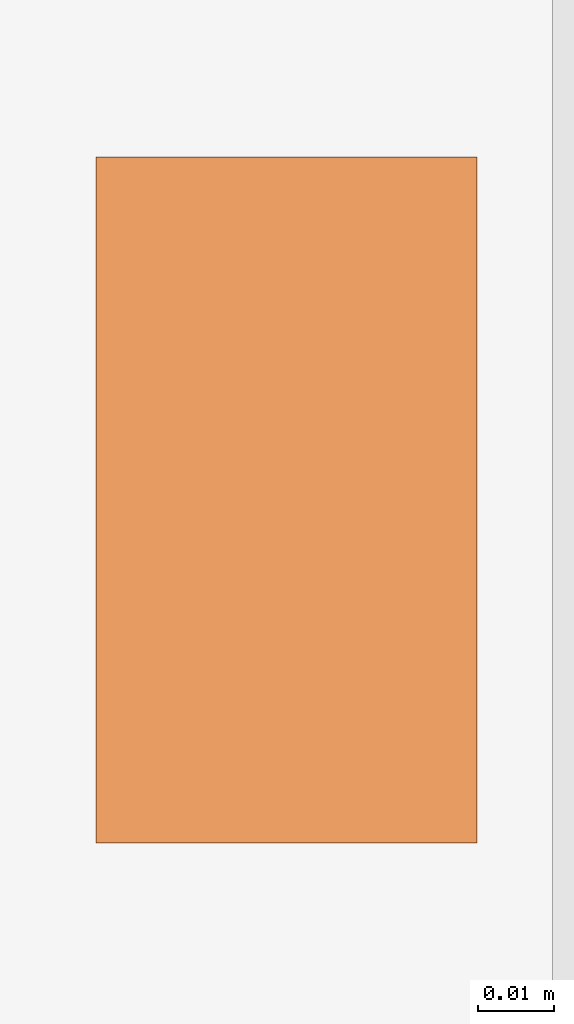
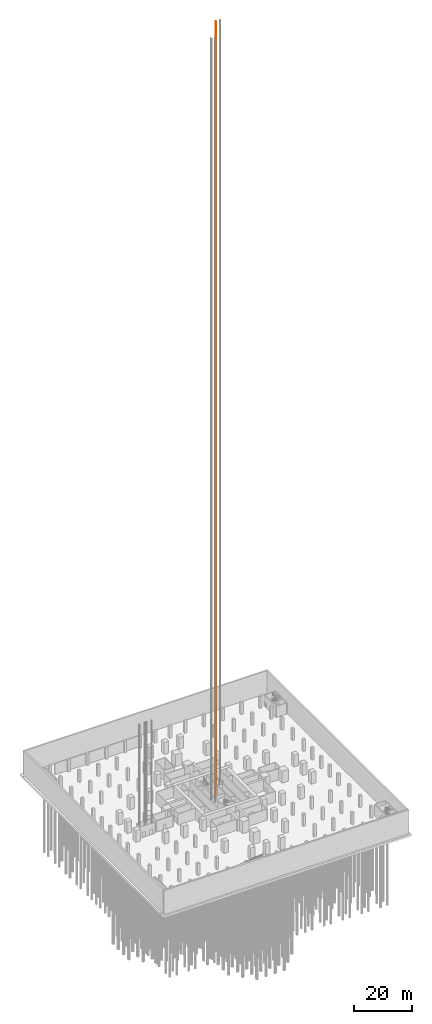
# One storey, part 30 of 31: 1 proxy.
"""IFC4 building model written with IfcOpenShell, lengths in metres."""

import ifcopenshell
import ifcopenshell.guid

model = None  # the IFC model being written
_history = None  # IfcOwnerHistory: only IFC2X3 demands one
_inside = {}  # id of a spatial element -> (the spatial element, [elements in it])
_under = {}  # id of a project, library or spatial element -> (it, [spatial elements below it])
_declared = {}  # id of a project -> (the project, [libraries it declares])
_typed = {}  # id of a type object -> (the type object, [elements of that type])
_made_of = {}  # id of a material, layer set ... -> (it, [elements and type objects made of it])


def new_model(schema):
    """Start an empty IFC model of exactly this schema.

    Asked for "IFC4X3", IfcOpenShell would pick the latest addendum, in which some entities
    have other attributes; the version numbers below select the first issue.
    IFC2X3 requires an IfcOwnerHistory on every rooted entity: one is made here for all.
    """
    global model, _history
    if schema == "IFC4X3":
        model = ifcopenshell.file(schema_version=(4, 3, 0, 0))
    else:
        model = ifcopenshell.file(schema=schema)
    _inside.clear()
    _under.clear()
    _declared.clear()
    _typed.clear()
    _made_of.clear()
    _history = None
    if model.schema == "IFC2X3":
        org = make("IfcOrganization", Name="unknown")
        user = make(
            "IfcPersonAndOrganization",
            ThePerson=make("IfcPerson", FamilyName="unknown"),
            TheOrganization=org,
        )
        app = make(
            "IfcApplication",
            ApplicationDeveloper=org,
            Version="unknown",
            ApplicationFullName="unknown",
            ApplicationIdentifier="unknown",
        )
        _history = make(
            "IfcOwnerHistory",
            OwningUser=user,
            OwningApplication=app,
            ChangeAction="ADDED",
            CreationDate=0,
        )
    return model


def make(cls, **values):
    """One entity of the class cls with the attributes given. An attribute that is None is left unset."""
    return model.create_entity(
        cls, **{name: value for name, value in values.items() if value is not None}
    )


def rooted(cls, **values):
    """An entity with a GlobalId (a new one), such as an element, a storey or a relation."""
    return make(cls, GlobalId=ifcopenshell.guid.new(), OwnerHistory=_history, **values)


def si_unit(unit_type, name, prefix=None):
    """IfcSIUnit, for example si_unit("LENGTHUNIT", "METRE", prefix="MILLI")."""
    return make("IfcSIUnit", UnitType=unit_type, Prefix=prefix, Name=name)


def assignment(units):
    """IfcUnitAssignment: the units of a project."""
    return None if units is None else make("IfcUnitAssignment", Units=units)


def point(xyz):
    """IfcCartesianPoint."""
    return None if xyz is None else make("IfcCartesianPoint", Coordinates=xyz)


def direction(xyz):
    """IfcDirection."""
    return None if xyz is None else make("IfcDirection", DirectionRatios=xyz)


def frame(location, z_axis=None, x_axis=None):
    """IfcAxis2Placement3D, a coordinate frame: its origin and axes. An axis left out is left unset."""
    return make(
        "IfcAxis2Placement3D",
        Location=point(location),
        Axis=direction(z_axis),
        RefDirection=direction(x_axis),
    )


def frame_2d(location, x_axis=None):
    """IfcAxis2Placement2D, a coordinate frame in the plane: its origin and x axis."""
    return make(
        "IfcAxis2Placement2D", Location=point(location), RefDirection=direction(x_axis)
    )


def origin():
    """The frame at (0, 0, 0) with its axes left unset."""
    return frame((0.0, 0.0, 0.0))


def origin_2d():
    """The frame at (0, 0) in the plane with its x axis left unset."""
    return frame_2d((0.0, 0.0))


def place(relative_to, where):
    """IfcLocalPlacement: puts the frame where relative to a parent placement (None: the world)."""
    return make(
        "IfcLocalPlacement", PlacementRelTo=relative_to, RelativePlacement=where
    )


def context(
    kind, dimensions, precision=None, world=None, true_north=None, identifier=None
):
    """IfcGeometricRepresentationContext, for example the 3D "Model" context."""
    return make(
        "IfcGeometricRepresentationContext",
        ContextIdentifier=identifier,
        ContextType=kind,
        CoordinateSpaceDimension=dimensions,
        Precision=precision,
        WorldCoordinateSystem=world,
        TrueNorth=true_north,
    )


def subcontext(parent, identifier, kind, view, scale=None):
    """IfcGeometricRepresentationSubContext, for example "Body" below "Model"."""
    return make(
        "IfcGeometricRepresentationSubContext",
        ContextIdentifier=identifier,
        ContextType=kind,
        ParentContext=parent,
        TargetScale=scale,
        TargetView=view,
    )


def project(units=None, contexts=None):
    """IfcProject with its units and contexts."""
    return rooted(
        "IfcProject",
        Name="project",
        RepresentationContexts=contexts,
        UnitsInContext=assignment(units),
    )


def spatial(cls, under=None, at=None, **own):
    """A site, building, storey or space (cls), placed at a placement, below another one or the project."""
    s = rooted(cls, ObjectPlacement=at, **own)
    if under is not None:
        _under.setdefault(under.id(), (under, []))[1].append(s)
    return s


def profile(cls, at=None, kind="AREA", **sizes):
    """A parametric profile (cls). Its sizes go by their IFC names, for example OverallWidth=200.0."""
    return make(cls, ProfileType=kind, Position=at, **sizes)


def rectangle(**sizes):
    """IfcRectangleProfileDef."""
    return profile("IfcRectangleProfileDef", **sizes)


def extrude(swept, where, along, depth):
    """IfcExtrudedAreaSolid: the profile swept, set in the frame where, extruded along a direction by depth."""
    return make(
        "IfcExtrudedAreaSolid",
        SweptArea=swept,
        Position=where,
        ExtrudedDirection=direction(along),
        Depth=depth,
    )


def shape(context_of_items, identifier, shape_type, items):
    """IfcShapeRepresentation: the items that make up one representation, for example the "Body"."""
    return make(
        "IfcShapeRepresentation",
        ContextOfItems=context_of_items,
        RepresentationIdentifier=identifier,
        RepresentationType=shape_type,
        Items=items,
    )


def material(Name=None, Category=None):
    """IfcMaterial."""
    return make("IfcMaterial", Name=Name, Category=Category)


def made_of(thing, what):
    """Note that an element or type object is made of a material, layer set ...; save() writes the relation."""
    if what is not None:
        _made_of.setdefault(what.id(), (what, []))[1].append(thing)
    return thing


def element(
    cls,
    number,
    at=None,
    inside=None,
    cuts=None,
    type_object=None,
    material=None,
    context=None,
    identifier="Body",
    shape_type=None,
    held_by="IfcProductDefinitionShape",
    body=None,
    shapes=None,
    **own,
):
    """One element of the class cls, such as IfcWall. Its Tag is "e" and its number.

    at: its placement. inside: the storey or other place that contains it. cuts: it is an
    opening in that element (IfcRelVoidsElement). A single representation is given by context,
    identifier, shape_type and body (its items); several are given by shapes. held_by: the class
    of the entity that holds the representations. save() writes the other relations.
    """
    e = rooted(cls, Tag="e%d" % number, ObjectPlacement=at, **own)
    if body is not None:
        shapes = [shape(context, identifier, shape_type, body)]
    if shapes is not None:
        e.Representation = make(held_by, Representations=shapes)
    if inside is not None:
        _inside.setdefault(inside.id(), (inside, []))[1].append(e)
    if cuts is not None:
        rooted(
            "IfcRelVoidsElement", RelatingBuildingElement=cuts, RelatedOpeningElement=e
        )
    if type_object is not None:
        _typed.setdefault(type_object.id(), (type_object, []))[1].append(e)
    return made_of(e, material)


def aggregate(whole, parts):
    """IfcRelAggregates: a whole, such as a stair, and the parts it consists of."""
    return rooted("IfcRelAggregates", RelatingObject=whole, RelatedObjects=parts)


def save(model, path):
    """Write the relations noted so far, then the file.

    IfcRelAggregates (storeys below a building ...), IfcRelContainedInSpatialStructure (elements
    in a storey), IfcRelDefinesByType, IfcRelAssociatesMaterial and IfcRelDeclares: one each for
    every whole, place, type object, material and project.
    """
    for whole, parts in _under.values():
        aggregate(whole, parts)
    for where, things in _inside.values():
        rooted(
            "IfcRelContainedInSpatialStructure",
            RelatedElements=things,
            RelatingStructure=where,
        )
    for kind, things in _typed.values():
        rooted("IfcRelDefinesByType", RelatedObjects=things, RelatingType=kind)
    for what, things in _made_of.values():
        rooted("IfcRelAssociatesMaterial", RelatedObjects=things, RelatingMaterial=what)
    for by, libraries in _declared.values():
        rooted("IfcRelDeclares", RelatingContext=by, RelatedDefinitions=libraries)
    model.write(path)


model = new_model("IFC4")

# Units and contexts
model_context = context("Model", 3, precision=1e-05, world=origin(), true_north=direction((0.0, 1.0)))
body_context = subcontext(model_context, "Body", "Model", "MODEL_VIEW")
ifc_project = project(units=[si_unit("LENGTHUNIT", "METRE"), si_unit("AREAUNIT", "SQUARE_METRE"), si_unit("VOLUMEUNIT", "CUBIC_METRE"), si_unit("PLANEANGLEUNIT", "RADIAN"), si_unit("MASSUNIT", "GRAM", prefix="KILO")], contexts=[model_context])

# Site, building, storey
site_placement = place(None, origin())
site = spatial("IfcSite", under=ifc_project, at=site_placement, CompositionType="ELEMENT")
building_placement = place(site_placement, origin())
building = spatial("IfcBuilding", under=site, at=building_placement, Name="Mizan Broadcast Tower", CompositionType="ELEMENT")
storey_placement = place(building_placement, frame((0.0, 0.0, -10.0)))
storey = spatial("IfcBuildingStorey", under=building, at=storey_placement, Name="B2", CompositionType="ELEMENT", Elevation=-10.0)

# Proxy
ifc_material = material(Name="Steel guide rail", Category="steel")
proxy_placement = place(storey_placement, frame((2.489990234375, 4.175048828125, 0.0), z_axis=(0.0, 0.0, 1.0), x_axis=(1.0, 0.0, 0.0)))
element("IfcBuildingElementProxy", 1, at=proxy_placement, inside=storey, material=ifc_material, Name="Guide rail FF2-1", PredefinedType="NOTDEFINED", context=body_context, shape_type="SweptSolid", body=[
    extrude(rectangle(XDim=0.050048828125, YDim=0.090087890625, at=origin_2d()), origin(), (0.0, 0.0, 1.0), 326.0),
])

save(model, "model.ifc")
